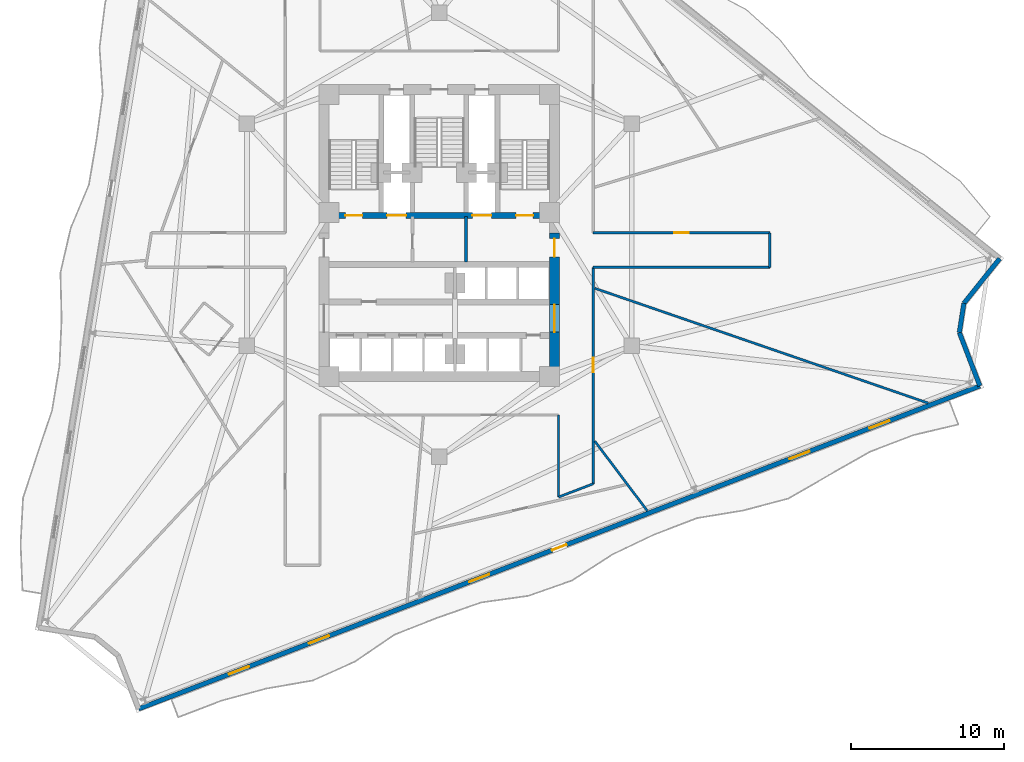
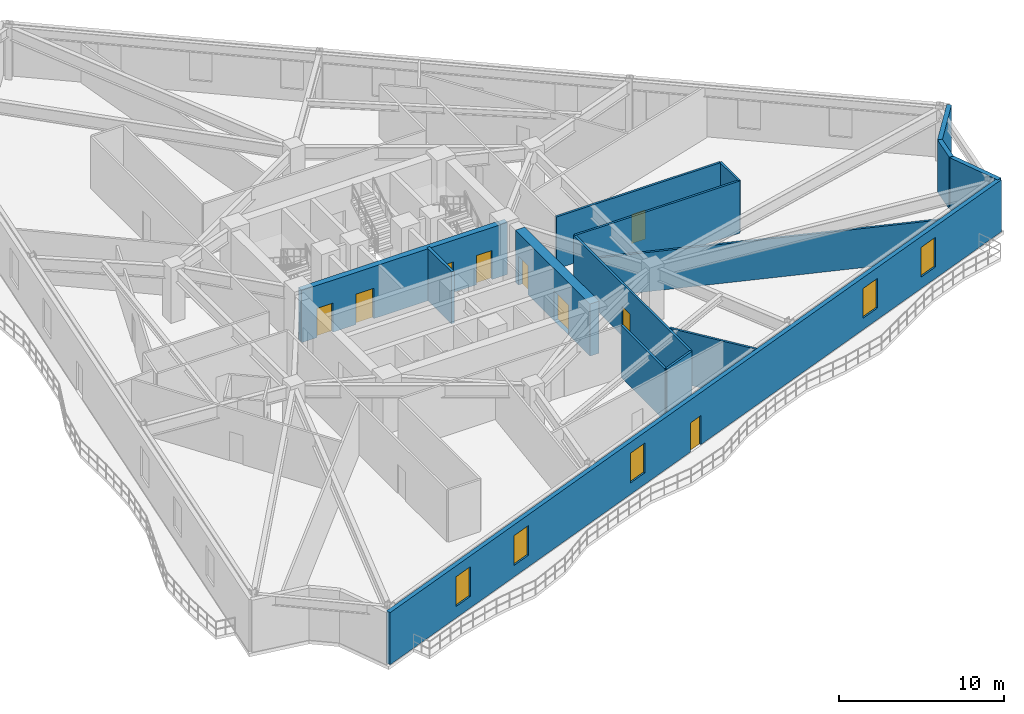
# One storey, part 5 of 11: 15 walls, 9 doors, 5 windows, 14 openings.
"""IFC4 building model written with IfcOpenShell, lengths in metres."""

from ifc_helpers import new_model, si_unit, direction, frame, frame_2d, origin, place, context, subcontext, project, spatial, rectangle, extrude, material, layer, layer_set, type_object, element, fill, save


model = new_model("IFC4")

# Units and contexts
model_context = context("Model", 3, precision=1e-05, world=origin(), true_north=direction((0.0, 1.0)))
body_context = subcontext(model_context, "Body", "Model", "MODEL_VIEW")
ifc_project = project(units=[si_unit("LENGTHUNIT", "METRE"), si_unit("AREAUNIT", "SQUARE_METRE"), si_unit("VOLUMEUNIT", "CUBIC_METRE"), si_unit("PLANEANGLEUNIT", "RADIAN"), si_unit("MASSUNIT", "GRAM", prefix="KILO")], contexts=[model_context])

# Site, building, storey
site_placement = place(None, origin())
site = spatial("IfcSite", under=ifc_project, at=site_placement, CompositionType="ELEMENT")
building_placement = place(site_placement, origin())
building = spatial("IfcBuilding", under=site, at=building_placement, Name="Apsidion Concourse Tower", CompositionType="ELEMENT")
storey_placement = place(building_placement, frame((0.0, 0.0, 148.60009765625)))
storey = spatial("IfcBuildingStorey", under=building, at=storey_placement, Name="L34", CompositionType="ELEMENT", Elevation=148.60009765625)

# Walls
ifc_material_1 = material(Name="Precast concrete C40/50", Category="concrete")
ifc_layer_1 = layer(ifc_material_1, 0.300048828125)
ifc_layer_set_1 = layer_set([ifc_layer_1], Name="Precast concrete C40/50")
wall_type_1 = type_object("IfcWallType", Name="WL-EXT-300", PredefinedType="STANDARD", material=ifc_layer_set_1)
wall_1_placement = place(storey_placement, frame((36.58984375, -1.556640625, 0.0), z_axis=(0.0, 0.0, 1.0), x_axis=(-0.62493402561, -0.780677567012, 0.0)))
element("IfcWall", 1, at=wall_1_placement, inside=storey, type_object=wall_type_1, Name="L34 Precast Stone Facade Wall 02", PredefinedType="STANDARD", context=body_context, shape_type="SweptSolid", body=[
    extrude(rectangle(XDim=3.737060546875, YDim=0.300048828125, at=frame_2d((1.86865234375, 0.0))), origin(), (0.0, 0.0, 1.0), 3.849853515625),
])
wall_2_placement = place(storey_placement, frame((34.25439453125, -4.47412109375, 0.0), z_axis=(0.0, 0.0, 1.0), x_axis=(-0.153717968475, -0.988114763663, 0.0)))
element("IfcWall", 2, at=wall_2_placement, inside=storey, type_object=wall_type_1, Name="L34 Precast Stone Facade Wall 03", PredefinedType="STANDARD", context=body_context, shape_type="SweptSolid", body=[
    extrude(rectangle(XDim=1.932861328125, YDim=0.300048828125, at=frame_2d((0.96630859375, 0.0))), origin(), (0.0, 0.0, 1.0), 3.849853515625),
])
wall_3_placement = place(storey_placement, frame((33.957275390625, -6.384033203125, 0.0), z_axis=(0.0, 0.0, 1.0), x_axis=(0.358344201462, -0.933589542186, 0.0)))
element("IfcWall", 3, at=wall_3_placement, inside=storey, type_object=wall_type_1, Name="L34 Precast Stone Facade Wall 04", PredefinedType="STANDARD", context=body_context, shape_type="SweptSolid", body=[
    extrude(rectangle(XDim=3.737060546875, YDim=0.300048828125, at=frame_2d((1.86865234375, 0.0))), origin(), (0.0, 0.0, 1.0), 3.849853515625),
])

# Wall, openings, door, windows
wall_4_placement = place(storey_placement, frame((35.29638671875, -9.872802734375, 0.0), z_axis=(0.0, 0.0, 1.0), x_axis=(-0.933580612554, -0.35836746485, 0.0)))
wall_4 = element("IfcWall", 4, at=wall_4_placement, inside=storey, type_object=wall_type_1, Name="L34 Precast Stone Facade Wall 05", PredefinedType="STANDARD", context=body_context, shape_type="SweptSolid", body=[
    extrude(rectangle(XDim=58.827880859375, YDim=0.300048828125, at=frame_2d((29.4140625, 0.0))), origin(), (0.0, 0.0, 1.0), 3.849853515625),
])
opening_1_placement = place(wall_4_placement, frame((28.9140625, 0.0, 0.0)))
opening_1 = element("IfcOpeningElement", 5, at=opening_1_placement, cuts=wall_4, Name="Opening D-T1R", PredefinedType="OPENING", context=body_context, shape_type="SweptSolid", body=[
    extrude(rectangle(XDim=1.0, YDim=2.14990234375, at=frame_2d((0.5, 1.074951171875))), frame((0.0, 0.16015625, 0.0), z_axis=(0.0, -1.0, 0.0), x_axis=(1.0, 0.0, 0.0)), (0.0, 0.0, 1.0), 0.320068359375),
])
opening_2_placement = place(wall_4_placement, frame((6.31396484375, 0.0, 0.85009765625)))
opening_2 = element("IfcOpeningElement", 6, at=opening_2_placement, cuts=wall_4, Name="Opening WN-05", PredefinedType="OPENING", context=body_context, shape_type="SweptSolid", body=[
    extrude(rectangle(XDim=1.39990234375, YDim=2.199951171875, at=frame_2d((0.699951171875, 1.10009765625))), frame((0.0, 0.16015625, 0.0), z_axis=(0.0, -1.0, 0.0), x_axis=(1.0, 0.0, 0.0)), (0.0, 0.0, 1.0), 0.320068359375),
])
opening_3_placement = place(wall_4_placement, frame((11.9140625, 0.0, 0.85009765625)))
opening_3 = element("IfcOpeningElement", 7, at=opening_3_placement, cuts=wall_4, Name="Opening WN-05", PredefinedType="OPENING", context=body_context, shape_type="SweptSolid", body=[
    extrude(rectangle(XDim=1.39990234375, YDim=2.199951171875, at=frame_2d((0.699951171875, 1.10009765625))), frame((0.0, 0.16015625, 0.0), z_axis=(0.0, -1.0, 0.0), x_axis=(1.0, 0.0, 0.0)), (0.0, 0.0, 1.0), 0.320068359375),
])
opening_4_placement = place(wall_4_placement, frame((34.31396484375, 0.0, 0.85009765625)))
opening_4 = element("IfcOpeningElement", 8, at=opening_4_placement, cuts=wall_4, Name="Opening WN-05", PredefinedType="OPENING", context=body_context, shape_type="SweptSolid", body=[
    extrude(rectangle(XDim=1.39990234375, YDim=2.199951171875, at=frame_2d((0.699951171875, 1.10009765625))), frame((0.0, 0.16015625, 0.0), z_axis=(0.0, -1.0, 0.0), x_axis=(1.0, 0.0, 0.0)), (0.0, 0.0, 1.0), 0.320068359375),
])
opening_5_placement = place(wall_4_placement, frame((45.513916015625, 0.0, 0.85009765625)))
opening_5 = element("IfcOpeningElement", 9, at=opening_5_placement, cuts=wall_4, Name="Opening WN-05", PredefinedType="OPENING", context=body_context, shape_type="SweptSolid", body=[
    extrude(rectangle(XDim=1.39990234375, YDim=2.199951171875, at=frame_2d((0.699951171875, 1.10009765625))), frame((0.0, 0.16015625, 0.0), z_axis=(0.0, -1.0, 0.0), x_axis=(1.0, 0.0, 0.0)), (0.0, 0.0, 1.0), 0.320068359375),
])
opening_6_placement = place(wall_4_placement, frame((51.114013671875, 0.0, 0.85009765625)))
opening_6 = element("IfcOpeningElement", 10, at=opening_6_placement, cuts=wall_4, Name="Opening WN-05", PredefinedType="OPENING", context=body_context, shape_type="SweptSolid", body=[
    extrude(rectangle(XDim=1.39990234375, YDim=2.199951171875, at=frame_2d((0.699951171875, 1.10009765625))), frame((0.0, 0.16015625, 0.0), z_axis=(0.0, -1.0, 0.0), x_axis=(1.0, 0.0, 0.0)), (0.0, 0.0, 1.0), 0.320068359375),
])
ifc_material_2 = material(Name="Anodised aluminium EN AW-6063 T6", Category="aluminium")
door_type_1 = type_object("IfcDoorType", Name="DR-TER-1022R", OperationType="SINGLE_SWING_RIGHT", PredefinedType="DOOR", material=ifc_material_2)
door_1_placement = place(opening_1_placement, origin())
door_1 = element("IfcDoor", 11, at=door_1_placement, inside=storey, type_object=door_type_1, Name="L34 Balcony Access Door 2", OperationType="SINGLE_SWING_RIGHT", OverallHeight=2.14990234375, OverallWidth=1.0, PredefinedType="DOOR", context=body_context, shape_type="SweptSolid", body=[
    extrude(rectangle(XDim=1.0, YDim=2.14990234375, at=frame_2d((0.5, 1.074951171875))), frame((0.0, 0.02490234375, 0.0), z_axis=(0.0, -1.0, 0.0), x_axis=(1.0, 0.0, 0.0)), (0.0, 0.0, 1.0), 0.050048828125),
])
fill(opening_1, door_1)
ifc_material_3 = material(Name="Insulated laminated low-E glass", Category="glass")
window_type = type_object("IfcWindowType", Name="WN-OFF-1424", PartitioningType="SINGLE_PANEL", PredefinedType="WINDOW", material=ifc_material_3)
window_1_placement = place(opening_2_placement, origin())
window_1 = element("IfcWindow", 12, at=window_1_placement, inside=storey, type_object=window_type, Name="L34 Punched Facade Window 5-01", OverallHeight=2.199951171875, OverallWidth=1.39990234375, PartitioningType="SINGLE_PANEL", PredefinedType="WINDOW", context=body_context, shape_type="SweptSolid", body=[
    extrude(rectangle(XDim=1.39990234375, YDim=2.199951171875, at=frame_2d((0.699951171875, 1.10009765625))), frame((0.0, 0.030029296875, 0.0), z_axis=(0.0, -1.0, 0.0), x_axis=(1.0, 0.0, 0.0)), (0.0, 0.0, 1.0), 0.06005859375),
])
fill(opening_2, window_1)
window_2_placement = place(opening_3_placement, origin())
window_2 = element("IfcWindow", 13, at=window_2_placement, inside=storey, type_object=window_type, Name="L34 Punched Facade Window 5-02", OverallHeight=2.199951171875, OverallWidth=1.39990234375, PartitioningType="SINGLE_PANEL", PredefinedType="WINDOW", context=body_context, shape_type="SweptSolid", body=[
    extrude(rectangle(XDim=1.39990234375, YDim=2.199951171875, at=frame_2d((0.699951171875, 1.10009765625))), frame((0.0, 0.030029296875, 0.0), z_axis=(0.0, -1.0, 0.0), x_axis=(1.0, 0.0, 0.0)), (0.0, 0.0, 1.0), 0.06005859375),
])
fill(opening_3, window_2)
window_3_placement = place(opening_4_placement, origin())
window_3 = element("IfcWindow", 14, at=window_3_placement, inside=storey, type_object=window_type, Name="L34 Punched Facade Window 5-06", OverallHeight=2.199951171875, OverallWidth=1.39990234375, PartitioningType="SINGLE_PANEL", PredefinedType="WINDOW", context=body_context, shape_type="SweptSolid", body=[
    extrude(rectangle(XDim=1.39990234375, YDim=2.199951171875, at=frame_2d((0.699951171875, 1.10009765625))), frame((0.0, 0.030029296875, 0.0), z_axis=(0.0, -1.0, 0.0), x_axis=(1.0, 0.0, 0.0)), (0.0, 0.0, 1.0), 0.06005859375),
])
fill(opening_4, window_3)
window_4_placement = place(opening_5_placement, origin())
window_4 = element("IfcWindow", 15, at=window_4_placement, inside=storey, type_object=window_type, Name="L34 Punched Facade Window 5-08", OverallHeight=2.199951171875, OverallWidth=1.39990234375, PartitioningType="SINGLE_PANEL", PredefinedType="WINDOW", context=body_context, shape_type="SweptSolid", body=[
    extrude(rectangle(XDim=1.39990234375, YDim=2.199951171875, at=frame_2d((0.699951171875, 1.10009765625))), frame((0.0, 0.030029296875, 0.0), z_axis=(0.0, -1.0, 0.0), x_axis=(1.0, 0.0, 0.0)), (0.0, 0.0, 1.0), 0.06005859375),
])
fill(opening_5, window_4)
window_5_placement = place(opening_6_placement, origin())
window_5 = element("IfcWindow", 16, at=window_5_placement, inside=storey, type_object=window_type, Name="L34 Punched Facade Window 5-09", OverallHeight=2.199951171875, OverallWidth=1.39990234375, PartitioningType="SINGLE_PANEL", PredefinedType="WINDOW", context=body_context, shape_type="SweptSolid", body=[
    extrude(rectangle(XDim=1.39990234375, YDim=2.199951171875, at=frame_2d((0.699951171875, 1.10009765625))), frame((0.0, 0.030029296875, 0.0), z_axis=(0.0, -1.0, 0.0), x_axis=(1.0, 0.0, 0.0)), (0.0, 0.0, 1.0), 0.06005859375),
])
fill(opening_6, window_5)

# Walls
ifc_material_4 = material(Name="Gypsum plasterboard partition")
ifc_layer_2 = layer(ifc_material_4, 0.14990234375)
ifc_layer_set_2 = layer_set([ifc_layer_2], Name="Gypsum plasterboard partition")
wall_type_2 = type_object("IfcWallType", Name="WL-INT-PAR-150", PredefinedType="PARTITIONING", material=ifc_layer_set_2)
wall_5_placement = place(storey_placement, frame((10.050048828125, -16.259521484375, 0.0), z_axis=(0.0, 0.0, 1.0), x_axis=(-0.933561171802, -0.358418105713, 0.0)))
element("IfcWall", 17, at=wall_5_placement, inside=storey, type_object=wall_type_2, Name="L34 Interior Partition WL-L34-CORR-01", PredefinedType="PARTITIONING", context=body_context, shape_type="SweptSolid", body=[
    extrude(rectangle(XDim=2.4208984375, YDim=0.14990234375, at=frame_2d((1.21044921875, 0.0))), origin(), (0.0, 0.0, 1.0), 3.849853515625),
])
wall_6_placement = place(storey_placement, frame((7.7900390625, -17.127197265625, 0.0), z_axis=(0.0, 0.0, 1.0), x_axis=(0.0, 1.0, 0.0)))
element("IfcWall", 18, at=wall_6_placement, inside=storey, type_object=wall_type_2, Name="L34 Interior Partition WL-L34-CORR-02", PredefinedType="PARTITIONING", context=body_context, shape_type="SweptSolid", body=[
    extrude(rectangle(XDim=5.352294921875, YDim=0.14990234375, at=frame_2d((2.67626953125, 0.0))), origin(), (0.0, 0.0, 1.0), 3.849853515625),
])

# Wall, opening, door
wall_7_placement = place(storey_placement, frame((10.050048828125, 0.1298828125, 0.0), z_axis=(0.0, 0.0, 1.0), x_axis=(1.0, 0.0, 0.0)))
wall_7 = element("IfcWall", 19, at=wall_7_placement, inside=storey, type_object=wall_type_2, Name="L34 Interior Partition WL-L34-CORR-17", PredefinedType="PARTITIONING", context=body_context, shape_type="SweptSolid", body=[
    extrude(rectangle(XDim=11.530029296875, YDim=0.14990234375, at=frame_2d((5.76513671875, 0.0))), origin(), (0.0, 0.0, 1.0), 3.849853515625),
])
opening_7_placement = place(wall_7_placement, frame((5.2900390625, 0.0, 0.0)))
opening_7 = element("IfcOpeningElement", 20, at=opening_7_placement, cuts=wall_7, Name="Opening D-01L", PredefinedType="OPENING", context=body_context, shape_type="SweptSolid", body=[
    extrude(rectangle(XDim=0.949951171875, YDim=2.14990234375, at=frame_2d((0.47509765625, 1.074951171875))), frame((0.0, 0.0849609375, 0.0), z_axis=(0.0, -1.0, 0.0), x_axis=(1.0, 0.0, 0.0)), (0.0, 0.0, 1.0), 0.169921875),
])
ifc_material_5 = material(Name="Brushed stainless steel 316", Category="steel")
door_type_2 = type_object("IfcDoorType", Name="DR-INT-D01L", OperationType="SINGLE_SWING_LEFT", PredefinedType="DOOR", material=ifc_material_5)
door_2_placement = place(opening_7_placement, origin())
door_2 = element("IfcDoor", 21, at=door_2_placement, inside=storey, type_object=door_type_2, Name="L34 Corridor Entry Door 05", OperationType="SINGLE_SWING_LEFT", OverallHeight=2.14990234375, OverallWidth=0.949951171875, PredefinedType="DOOR", context=body_context, shape_type="SweptSolid", body=[
    extrude(rectangle(XDim=0.949951171875, YDim=2.14990234375, at=frame_2d((0.47509765625, 1.074951171875))), frame((0.0, 0.02490234375, 0.0), z_axis=(0.0, -1.0, 0.0), x_axis=(1.0, 0.0, 0.0)), (0.0, 0.0, 1.0), 0.050048828125),
])
fill(opening_7, door_2)

# Walls
wall_8_placement = place(storey_placement, frame((21.580078125, 0.1298828125, 0.0), z_axis=(0.0, 0.0, 1.0), x_axis=(0.0, -1.0, 0.0)))
element("IfcWall", 22, at=wall_8_placement, inside=storey, type_object=wall_type_2, Name="L34 Interior Partition WL-L34-CORR-18", PredefinedType="PARTITIONING", context=body_context, shape_type="SweptSolid", body=[
    extrude(rectangle(XDim=2.259765625, YDim=0.14990234375, at=frame_2d((1.1298828125, 0.0))), origin(), (0.0, 0.0, 1.0), 3.849853515625),
])
wall_9_placement = place(storey_placement, frame((21.580078125, -2.1298828125, 0.0), z_axis=(0.0, 0.0, 1.0), x_axis=(-1.0, 0.0, 0.0)))
element("IfcWall", 23, at=wall_9_placement, inside=storey, type_object=wall_type_2, Name="L34 Interior Partition WL-L34-CORR-19", PredefinedType="PARTITIONING", context=body_context, shape_type="SweptSolid", body=[
    extrude(rectangle(XDim=11.530029296875, YDim=0.14990234375, at=frame_2d((5.76513671875, 0.0))), origin(), (0.0, 0.0, 1.0), 3.849853515625),
])

# Wall, opening, door
wall_10_placement = place(storey_placement, frame((10.050048828125, -2.1298828125, 0.0), z_axis=(0.0, 0.0, 1.0), x_axis=(0.0, -1.0, 0.0)))
wall_10 = element("IfcWall", 24, at=wall_10_placement, inside=storey, type_object=wall_type_2, Name="L34 Interior Partition WL-L34-CORR-20", PredefinedType="PARTITIONING", context=body_context, shape_type="SweptSolid", body=[
    extrude(rectangle(XDim=14.129638671875, YDim=0.14990234375, at=frame_2d((7.06494140625, 0.0))), origin(), (0.0, 0.0, 1.0), 3.849853515625),
])
opening_8_placement = place(wall_10_placement, frame((5.901611328125, 0.0, 0.0)))
opening_8 = element("IfcOpeningElement", 25, at=opening_8_placement, cuts=wall_10, Name="Opening D-01R", PredefinedType="OPENING", context=body_context, shape_type="SweptSolid", body=[
    extrude(rectangle(XDim=0.949951171875, YDim=2.14990234375, at=frame_2d((0.47509765625, 1.074951171875))), frame((0.0, 0.0849609375, 0.0), z_axis=(0.0, -1.0, 0.0), x_axis=(1.0, 0.0, 0.0)), (0.0, 0.0, 1.0), 0.169921875),
])
door_type_3 = type_object("IfcDoorType", Name="DR-INT-D01R", OperationType="SINGLE_SWING_RIGHT", PredefinedType="DOOR", material=ifc_material_5)
door_3_placement = place(opening_8_placement, origin())
door_3 = element("IfcDoor", 26, at=door_3_placement, inside=storey, type_object=door_type_3, Name="L34 Corridor Entry Door 04", OperationType="SINGLE_SWING_RIGHT", OverallHeight=2.14990234375, OverallWidth=0.949951171875, PredefinedType="DOOR", context=body_context, shape_type="SweptSolid", body=[
    extrude(rectangle(XDim=0.949951171875, YDim=2.14990234375, at=frame_2d((0.47509765625, 1.074951171875))), frame((0.0, 0.02490234375, 0.0), z_axis=(0.0, -1.0, 0.0), x_axis=(1.0, 0.0, 0.0)), (0.0, 0.0, 1.0), 0.050048828125),
])
fill(opening_8, door_3)

# Walls
wall_11_placement = place(storey_placement, frame((10.155029296875, -13.47607421875, 0.0), z_axis=(0.0, 0.0, 1.0), x_axis=(0.601807099294, -0.798641481041, 0.0)))
element("IfcWall", 27, at=wall_11_placement, inside=storey, type_object=wall_type_2, Name="L34 Interior Partition WL-L34-RAD-08-1", PredefinedType="PARTITIONING", context=body_context, shape_type="SweptSolid", body=[
    extrude(rectangle(XDim=5.701904296875, YDim=0.14990234375, at=frame_2d((2.85107421875, 0.0))), origin(), (0.0, 0.0, 1.0), 3.849853515625),
])
wall_12_placement = place(storey_placement, frame((10.155029296875, -3.49658203125, 0.0), z_axis=(0.0, 0.0, 1.0), x_axis=(0.945516019474, -0.325575577889, 0.0)))
element("IfcWall", 28, at=wall_12_placement, inside=storey, type_object=wall_type_2, Name="L34 Interior Partition WL-L34-RAD-09-1", PredefinedType="PARTITIONING", context=body_context, shape_type="SweptSolid", body=[
    extrude(rectangle(XDim=23.021240234375, YDim=0.14990234375, at=frame_2d((11.5107421875, 0.0))), origin(), (0.0, 0.0, 1.0), 2.89794921875),
])
ifc_layer_3 = layer(ifc_material_4, 0.199951171875)
ifc_layer_set_3 = layer_set([ifc_layer_3], Name="Gypsum plasterboard partition")
wall_type_3 = type_object("IfcWallType", Name="WL-INT-PAR-200", PredefinedType="PARTITIONING", material=ifc_layer_set_3)
wall_13_placement = place(storey_placement, frame((1.739990234375, -1.780029296875, 0.0), z_axis=(0.0, 0.0, 1.0), x_axis=(0.0, 1.0, 0.0)))
element("IfcWall", 29, at=wall_13_placement, inside=storey, type_object=wall_type_3, Name="L34 Interior Partition WL-L34-FF2-W", PredefinedType="PARTITIONING", context=body_context, shape_type="SweptSolid", body=[
    extrude(rectangle(XDim=2.97998046875, YDim=0.199951171875, at=frame_2d((1.489990234375, 0.0))), origin(), (0.0, 0.0, 1.0), 3.849853515625),
])

# Wall, openings, doors
ifc_material_6 = material(Name="Concrete C50/60", Category="concrete")
ifc_layer_4 = layer(ifc_material_6, 0.39990234375)
ifc_layer_set_4 = layer_set([ifc_layer_4], Name="Concrete C50/60")
wall_type_4 = type_object("IfcWallType", Name="WL-SH-400", PredefinedType="SHEAR", material=ifc_layer_set_4)
wall_14_placement = place(storey_placement, frame((-7.199951171875, 1.25, 0.0), z_axis=(0.0, 0.0, 1.0), x_axis=(1.0, 0.0, 0.0)))
wall_14 = element("IfcWall", 30, at=wall_14_placement, inside=storey, type_object=wall_type_4, Name="L34 Central Core Shear Wall M1", PredefinedType="SHEAR", context=body_context, shape_type="SweptSolid", body=[
    extrude(rectangle(XDim=14.39990234375, YDim=0.39990234375, at=frame_2d((7.199951171875, 0.0))), origin(), (0.0, 0.0, 1.0), 3.849853515625),
])
opening_9_placement = place(wall_14_placement, frame((3.794921875, 0.0, 0.0)))
opening_9 = element("IfcOpeningElement", 31, at=opening_9_placement, cuts=wall_14, Name="Opening LD-FF", PredefinedType="OPENING", context=body_context, shape_type="SweptSolid", body=[
    extrude(rectangle(XDim=1.25, YDim=2.25, at=frame_2d((0.625, 1.125))), frame((0.0, 0.2099609375, 0.0), z_axis=(0.0, -1.0, 0.0), x_axis=(1.0, 0.0, 0.0)), (0.0, 0.0, 1.0), 0.419921875),
])
opening_10_placement = place(wall_14_placement, frame((9.35498046875, 0.0, 0.0)))
opening_10 = element("IfcOpeningElement", 32, at=opening_10_placement, cuts=wall_14, Name="Opening LD-FF", PredefinedType="OPENING", context=body_context, shape_type="SweptSolid", body=[
    extrude(rectangle(XDim=1.25, YDim=2.25, at=frame_2d((0.625, 1.125))), frame((0.0, 0.2099609375, 0.0), z_axis=(0.0, -1.0, 0.0), x_axis=(1.0, 0.0, 0.0)), (0.0, 0.0, 1.0), 0.419921875),
])
opening_11_placement = place(wall_14_placement, frame((1.074951171875, 0.0, 0.0)))
opening_11 = element("IfcOpeningElement", 33, at=opening_11_placement, cuts=wall_14, Name="Opening D-STL", PredefinedType="OPENING", context=body_context, shape_type="SweptSolid", body=[
    extrude(rectangle(XDim=1.10009765625, YDim=2.14990234375, at=frame_2d((0.550048828125, 1.074951171875))), frame((0.0, 0.2099609375, 0.0), z_axis=(0.0, -1.0, 0.0), x_axis=(1.0, 0.0, 0.0)), (0.0, 0.0, 1.0), 0.419921875),
])
opening_12_placement = place(wall_14_placement, frame((12.22509765625, 0.0, 0.0)))
opening_12 = element("IfcOpeningElement", 34, at=opening_12_placement, cuts=wall_14, Name="Opening D-STR", PredefinedType="OPENING", context=body_context, shape_type="SweptSolid", body=[
    extrude(rectangle(XDim=1.10009765625, YDim=2.14990234375, at=frame_2d((0.550048828125, 1.074951171875))), frame((0.0, 0.2099609375, 0.0), z_axis=(0.0, -1.0, 0.0), x_axis=(1.0, 0.0, 0.0)), (0.0, 0.0, 1.0), 0.419921875),
])
door_type_4 = type_object("IfcDoorType", Name="DR-INT-ST1L", OperationType="SINGLE_SWING_LEFT", PredefinedType="DOOR", material=ifc_material_5)
door_4_placement = place(opening_11_placement, origin())
door_4 = element("IfcDoor", 35, at=door_4_placement, inside=storey, type_object=door_type_4, Name="L34 Core Exit Stair ST1 Door", OperationType="SINGLE_SWING_LEFT", OverallHeight=2.14990234375, OverallWidth=1.10009765625, PredefinedType="DOOR", context=body_context, shape_type="SweptSolid", body=[
    extrude(rectangle(XDim=1.10009765625, YDim=2.14990234375, at=frame_2d((0.550048828125, 1.074951171875))), frame((0.0, 0.02490234375, 0.0), z_axis=(0.0, -1.0, 0.0), x_axis=(1.0, 0.0, 0.0)), (0.0, 0.0, 1.0), 0.050048828125),
])
fill(opening_11, door_4)
door_type_5 = type_object("IfcDoorType", Name="DR-INT-ST1R", OperationType="SINGLE_SWING_RIGHT", PredefinedType="DOOR", material=ifc_material_5)
door_5_placement = place(opening_12_placement, origin())
door_5 = element("IfcDoor", 36, at=door_5_placement, inside=storey, type_object=door_type_5, Name="L34 Core Exit Stair ST2 Door", OperationType="SINGLE_SWING_RIGHT", OverallHeight=2.14990234375, OverallWidth=1.10009765625, PredefinedType="DOOR", context=body_context, shape_type="SweptSolid", body=[
    extrude(rectangle(XDim=1.10009765625, YDim=2.14990234375, at=frame_2d((0.550048828125, 1.074951171875))), frame((0.0, 0.02490234375, 0.0), z_axis=(0.0, -1.0, 0.0), x_axis=(1.0, 0.0, 0.0)), (0.0, 0.0, 1.0), 0.050048828125),
])
fill(opening_12, door_5)
door_type_6 = type_object("IfcDoorType", Name="DR-LD-FSAE", OperationType="DOUBLE_DOOR_SLIDING", PredefinedType="DOOR", material=ifc_material_5)
door_6_placement = place(opening_9_placement, origin())
door_6 = element("IfcDoor", 37, at=door_6_placement, inside=storey, type_object=door_type_6, Name="L34 Lift Landing Door FF1", OperationType="DOUBLE_DOOR_SLIDING", OverallHeight=2.25, OverallWidth=1.25, PredefinedType="DOOR", context=body_context, shape_type="SweptSolid", body=[
    extrude(rectangle(XDim=1.25, YDim=2.25, at=frame_2d((0.625, 1.125))), frame((0.0, 0.02490234375, 0.0), z_axis=(0.0, -1.0, 0.0), x_axis=(1.0, 0.0, 0.0)), (0.0, 0.0, 1.0), 0.050048828125),
])
fill(opening_9, door_6)
door_7_placement = place(opening_10_placement, origin())
door_7 = element("IfcDoor", 38, at=door_7_placement, inside=storey, type_object=door_type_6, Name="L34 Lift Landing Door FF2", OperationType="DOUBLE_DOOR_SLIDING", OverallHeight=2.25, OverallWidth=1.25, PredefinedType="DOOR", context=body_context, shape_type="SweptSolid", body=[
    extrude(rectangle(XDim=1.25, YDim=2.25, at=frame_2d((0.625, 1.125))), frame((0.0, 0.02490234375, 0.0), z_axis=(0.0, -1.0, 0.0), x_axis=(1.0, 0.0, 0.0)), (0.0, 0.0, 1.0), 0.050048828125),
])
fill(opening_10, door_7)

ifc_layer_5 = layer(ifc_material_6, 0.64990234375)
ifc_layer_set_5 = layer_set([ifc_layer_5], Name="Concrete C50/60")
wall_type_5 = type_object("IfcWallType", Name="WL-SH-650", PredefinedType="SHEAR", material=ifc_layer_set_5)
wall_15_placement = place(storey_placement, frame((7.52490234375, -8.925048828125, 0.0), z_axis=(0.0, 0.0, 1.0), x_axis=(0.0, 1.0, 0.0)))
wall_15 = element("IfcWall", 39, at=wall_15_placement, inside=storey, type_object=wall_type_5, Name="L34 Central Core Shear Wall ES", PredefinedType="SHEAR", context=body_context, shape_type="SweptSolid", body=[
    extrude(rectangle(XDim=9.025146484375, YDim=0.64990234375, at=frame_2d((4.5126953125, 0.0))), origin(), (0.0, 0.0, 1.0), 3.849853515625),
])
opening_13_placement = place(wall_15_placement, frame((2.56494140625, 0.0, 0.0)))
opening_13 = element("IfcOpeningElement", 40, at=opening_13_placement, cuts=wall_15, Name="Opening D-06D", PredefinedType="OPENING", context=body_context, shape_type="SweptSolid", body=[
    extrude(rectangle(XDim=1.800048828125, YDim=2.199951171875, at=frame_2d((0.89990234375, 1.10009765625))), frame((0.0, 0.3349609375, 0.0), z_axis=(0.0, -1.0, 0.0), x_axis=(1.0, 0.0, 0.0)), (0.0, 0.0, 1.0), 0.669921875),
])
opening_14_placement = place(wall_15_placement, frame((7.47509765625, 0.0, 0.0)))
opening_14 = element("IfcOpeningElement", 41, at=opening_14_placement, cuts=wall_15, Name="Opening D-FFR", PredefinedType="OPENING", context=body_context, shape_type="SweptSolid", body=[
    extrude(rectangle(XDim=1.199951171875, YDim=2.14990234375, at=frame_2d((0.60009765625, 1.074951171875))), frame((0.0, 0.3349609375, 0.0), z_axis=(0.0, -1.0, 0.0), x_axis=(1.0, 0.0, 0.0)), (0.0, 0.0, 1.0), 0.669921875),
])
door_type_7 = type_object("IfcDoorType", Name="DR-INT-D06D", OperationType="DOUBLE_DOOR_SINGLE_SWING", PredefinedType="DOOR", material=ifc_material_5)
door_8_placement = place(opening_13_placement, origin())
door_8 = element("IfcDoor", 42, at=door_8_placement, inside=storey, type_object=door_type_7, Name="L34 Passenger Lift Lobby ES Portal Door", OperationType="DOUBLE_DOOR_SINGLE_SWING", OverallHeight=2.199951171875, OverallWidth=1.800048828125, PredefinedType="DOOR", context=body_context, shape_type="SweptSolid", body=[
    extrude(rectangle(XDim=1.800048828125, YDim=2.199951171875, at=frame_2d((0.89990234375, 1.10009765625))), frame((0.0, 0.02490234375, 0.0), z_axis=(0.0, -1.0, 0.0), x_axis=(1.0, 0.0, 0.0)), (0.0, 0.0, 1.0), 0.050048828125),
])
fill(opening_13, door_8)
door_type_8 = type_object("IfcDoorType", Name="DR-INT-FFR", OperationType="SINGLE_SWING_RIGHT", PredefinedType="DOOR", material=ifc_material_5)
door_9_placement = place(opening_14_placement, origin())
door_9 = element("IfcDoor", 43, at=door_9_placement, inside=storey, type_object=door_type_8, Name="L34 Firefighting Lift Lobby FF2 Door", OperationType="SINGLE_SWING_RIGHT", OverallHeight=2.14990234375, OverallWidth=1.199951171875, PredefinedType="DOOR", context=body_context, shape_type="SweptSolid", body=[
    extrude(rectangle(XDim=1.199951171875, YDim=2.14990234375, at=frame_2d((0.60009765625, 1.074951171875))), frame((0.0, 0.02490234375, 0.0), z_axis=(0.0, -1.0, 0.0), x_axis=(1.0, 0.0, 0.0)), (0.0, 0.0, 1.0), 0.050048828125),
])
fill(opening_14, door_9)

save(model, "model.ifc")
